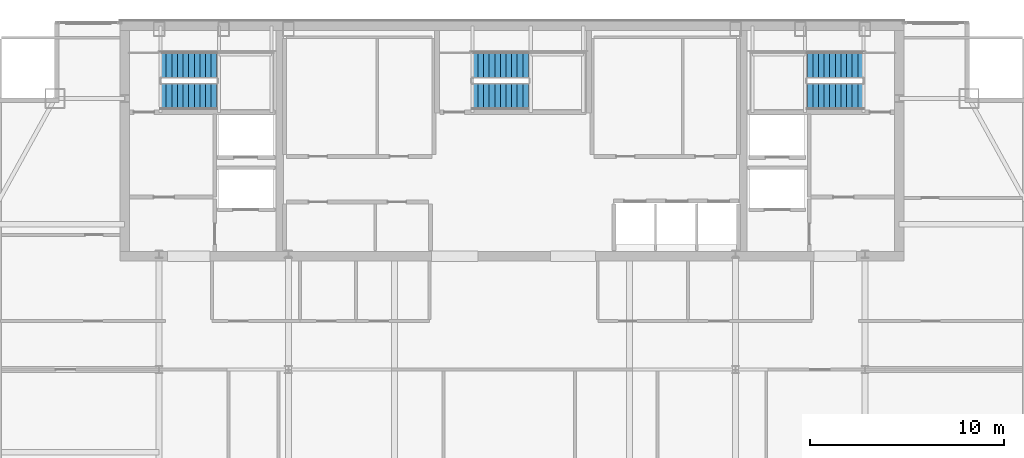
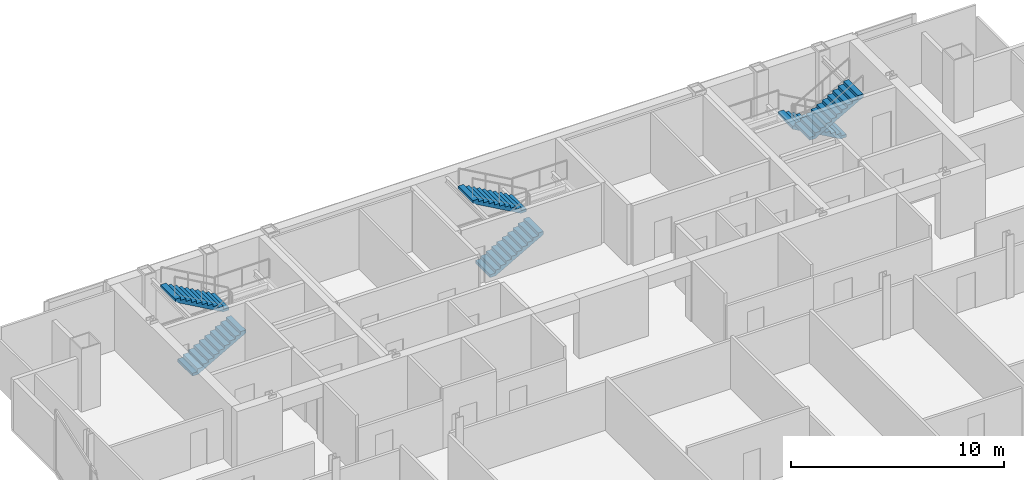
# One storey, part 28 of 30: 6 stair flights, 3 elements without a shape of their own.
"""IFC4 building model written with IfcOpenShell, lengths in metres."""

import ifcopenshell
import ifcopenshell.guid

model = None  # the IFC model being written
_history = None  # IfcOwnerHistory: only IFC2X3 demands one
_inside = {}  # id of a spatial element -> (the spatial element, [elements in it])
_under = {}  # id of a project, library or spatial element -> (it, [spatial elements below it])
_declared = {}  # id of a project -> (the project, [libraries it declares])
_typed = {}  # id of a type object -> (the type object, [elements of that type])
_made_of = {}  # id of a material, layer set ... -> (it, [elements and type objects made of it])


def new_model(schema):
    """Start an empty IFC model of exactly this schema.

    Asked for "IFC4X3", IfcOpenShell would pick the latest addendum, in which some entities
    have other attributes; the version numbers below select the first issue.
    IFC2X3 requires an IfcOwnerHistory on every rooted entity: one is made here for all.
    """
    global model, _history
    if schema == "IFC4X3":
        model = ifcopenshell.file(schema_version=(4, 3, 0, 0))
    else:
        model = ifcopenshell.file(schema=schema)
    _inside.clear()
    _under.clear()
    _declared.clear()
    _typed.clear()
    _made_of.clear()
    _history = None
    if model.schema == "IFC2X3":
        org = make("IfcOrganization", Name="unknown")
        user = make(
            "IfcPersonAndOrganization",
            ThePerson=make("IfcPerson", FamilyName="unknown"),
            TheOrganization=org,
        )
        app = make(
            "IfcApplication",
            ApplicationDeveloper=org,
            Version="unknown",
            ApplicationFullName="unknown",
            ApplicationIdentifier="unknown",
        )
        _history = make(
            "IfcOwnerHistory",
            OwningUser=user,
            OwningApplication=app,
            ChangeAction="ADDED",
            CreationDate=0,
        )
    return model


def make(cls, **values):
    """One entity of the class cls with the attributes given. An attribute that is None is left unset."""
    return model.create_entity(
        cls, **{name: value for name, value in values.items() if value is not None}
    )


def rooted(cls, **values):
    """An entity with a GlobalId (a new one), such as an element, a storey or a relation."""
    return make(cls, GlobalId=ifcopenshell.guid.new(), OwnerHistory=_history, **values)


def si_unit(unit_type, name, prefix=None):
    """IfcSIUnit, for example si_unit("LENGTHUNIT", "METRE", prefix="MILLI")."""
    return make("IfcSIUnit", UnitType=unit_type, Prefix=prefix, Name=name)


def assignment(units):
    """IfcUnitAssignment: the units of a project."""
    return None if units is None else make("IfcUnitAssignment", Units=units)


def point(xyz):
    """IfcCartesianPoint."""
    return None if xyz is None else make("IfcCartesianPoint", Coordinates=xyz)


def direction(xyz):
    """IfcDirection."""
    return None if xyz is None else make("IfcDirection", DirectionRatios=xyz)


def frame(location, z_axis=None, x_axis=None):
    """IfcAxis2Placement3D, a coordinate frame: its origin and axes. An axis left out is left unset."""
    return make(
        "IfcAxis2Placement3D",
        Location=point(location),
        Axis=direction(z_axis),
        RefDirection=direction(x_axis),
    )


def origin():
    """The frame at (0, 0, 0) with its axes left unset."""
    return frame((0.0, 0.0, 0.0))


def place(relative_to, where):
    """IfcLocalPlacement: puts the frame where relative to a parent placement (None: the world)."""
    return make(
        "IfcLocalPlacement", PlacementRelTo=relative_to, RelativePlacement=where
    )


def context(
    kind, dimensions, precision=None, world=None, true_north=None, identifier=None
):
    """IfcGeometricRepresentationContext, for example the 3D "Model" context."""
    return make(
        "IfcGeometricRepresentationContext",
        ContextIdentifier=identifier,
        ContextType=kind,
        CoordinateSpaceDimension=dimensions,
        Precision=precision,
        WorldCoordinateSystem=world,
        TrueNorth=true_north,
    )


def subcontext(parent, identifier, kind, view, scale=None):
    """IfcGeometricRepresentationSubContext, for example "Body" below "Model"."""
    return make(
        "IfcGeometricRepresentationSubContext",
        ContextIdentifier=identifier,
        ContextType=kind,
        ParentContext=parent,
        TargetScale=scale,
        TargetView=view,
    )


def project(units=None, contexts=None):
    """IfcProject with its units and contexts."""
    return rooted(
        "IfcProject",
        Name="project",
        RepresentationContexts=contexts,
        UnitsInContext=assignment(units),
    )


def spatial(cls, under=None, at=None, **own):
    """A site, building, storey or space (cls), placed at a placement, below another one or the project."""
    s = rooted(cls, ObjectPlacement=at, **own)
    if under is not None:
        _under.setdefault(under.id(), (under, []))[1].append(s)
    return s


def polyline(points):
    """IfcPolyline through the points."""
    return make("IfcPolyline", Points=[point(p) for p in points])


def outline(outer, holes=None, kind="AREA"):
    """IfcArbitraryClosedProfileDef: a profile drawn as a closed curve; with holes, ...WithVoids."""
    if holes is None:
        return make("IfcArbitraryClosedProfileDef", ProfileType=kind, OuterCurve=outer)
    return make(
        "IfcArbitraryProfileDefWithVoids",
        ProfileType=kind,
        OuterCurve=outer,
        InnerCurves=holes,
    )


def extrude(swept, where, along, depth):
    """IfcExtrudedAreaSolid: the profile swept, set in the frame where, extruded along a direction by depth."""
    return make(
        "IfcExtrudedAreaSolid",
        SweptArea=swept,
        Position=where,
        ExtrudedDirection=direction(along),
        Depth=depth,
    )


def shape(context_of_items, identifier, shape_type, items):
    """IfcShapeRepresentation: the items that make up one representation, for example the "Body"."""
    return make(
        "IfcShapeRepresentation",
        ContextOfItems=context_of_items,
        RepresentationIdentifier=identifier,
        RepresentationType=shape_type,
        Items=items,
    )


def material(Name=None, Category=None):
    """IfcMaterial."""
    return make("IfcMaterial", Name=Name, Category=Category)


def made_of(thing, what):
    """Note that an element or type object is made of a material, layer set ...; save() writes the relation."""
    if what is not None:
        _made_of.setdefault(what.id(), (what, []))[1].append(thing)
    return thing


def type_object(cls, material=None, **own):
    """A type object (cls), such as IfcWallType, which elements share."""
    return made_of(rooted(cls, **own), material)


def element(
    cls,
    number,
    at=None,
    inside=None,
    cuts=None,
    type_object=None,
    material=None,
    context=None,
    identifier="Body",
    shape_type=None,
    held_by="IfcProductDefinitionShape",
    body=None,
    shapes=None,
    **own,
):
    """One element of the class cls, such as IfcWall. Its Tag is "e" and its number.

    at: its placement. inside: the storey or other place that contains it. cuts: it is an
    opening in that element (IfcRelVoidsElement). A single representation is given by context,
    identifier, shape_type and body (its items); several are given by shapes. held_by: the class
    of the entity that holds the representations. save() writes the other relations.
    """
    e = rooted(cls, Tag="e%d" % number, ObjectPlacement=at, **own)
    if body is not None:
        shapes = [shape(context, identifier, shape_type, body)]
    if shapes is not None:
        e.Representation = make(held_by, Representations=shapes)
    if inside is not None:
        _inside.setdefault(inside.id(), (inside, []))[1].append(e)
    if cuts is not None:
        rooted(
            "IfcRelVoidsElement", RelatingBuildingElement=cuts, RelatedOpeningElement=e
        )
    if type_object is not None:
        _typed.setdefault(type_object.id(), (type_object, []))[1].append(e)
    return made_of(e, material)


def aggregate(whole, parts):
    """IfcRelAggregates: a whole, such as a stair, and the parts it consists of."""
    return rooted("IfcRelAggregates", RelatingObject=whole, RelatedObjects=parts)


def save(model, path):
    """Write the relations noted so far, then the file.

    IfcRelAggregates (storeys below a building ...), IfcRelContainedInSpatialStructure (elements
    in a storey), IfcRelDefinesByType, IfcRelAssociatesMaterial and IfcRelDeclares: one each for
    every whole, place, type object, material and project.
    """
    for whole, parts in _under.values():
        aggregate(whole, parts)
    for where, things in _inside.values():
        rooted(
            "IfcRelContainedInSpatialStructure",
            RelatedElements=things,
            RelatingStructure=where,
        )
    for kind, things in _typed.values():
        rooted("IfcRelDefinesByType", RelatedObjects=things, RelatingType=kind)
    for what, things in _made_of.values():
        rooted("IfcRelAssociatesMaterial", RelatedObjects=things, RelatingMaterial=what)
    for by, libraries in _declared.values():
        rooted("IfcRelDeclares", RelatingContext=by, RelatedDefinitions=libraries)
    model.write(path)


model = new_model("IFC4")

# Units and contexts
model_context = context("Model", 3, precision=1e-05, world=origin(), true_north=direction((0.0, 1.0)))
body_context = subcontext(model_context, "Body", "Model", "MODEL_VIEW")
ifc_project = project(units=[si_unit("LENGTHUNIT", "METRE"), si_unit("AREAUNIT", "SQUARE_METRE"), si_unit("VOLUMEUNIT", "CUBIC_METRE"), si_unit("PLANEANGLEUNIT", "RADIAN"), si_unit("MASSUNIT", "GRAM", prefix="KILO")], contexts=[model_context])

# Site, building, storey
site_placement = place(None, origin())
site = spatial("IfcSite", under=ifc_project, at=site_placement, CompositionType="ELEMENT")
building_placement = place(site_placement, origin())
building = spatial("IfcBuilding", under=site, at=building_placement, Name="Khoronbel Lancet Exchange", CompositionType="ELEMENT")
storey_placement = place(building_placement, frame((0.0, 0.0, 277.0)))
storey = spatial("IfcBuildingStorey", under=building, at=storey_placement, Name="L71", CompositionType="ELEMENT", Elevation=277.0)

# Stair, stair flights
ifc_material = material(Name="Concrete C40/50", Category="concrete")
stair_type = type_object("IfcStairType", Name="STR-CORE150", PredefinedType="HALF_TURN_STAIR", material=ifc_material)
stair_1_placement = place(storey_placement, origin())
stair_1 = element("IfcStair", 1, at=stair_1_placement, inside=storey, type_object=stair_type, Name="L71 Protected Exit Stair ST1", PredefinedType="HALF_TURN_STAIR")
stair_flight_type = type_object("IfcStairFlightType", Name="STF-150", PredefinedType="STRAIGHT", material=ifc_material)
stair_flight_1_placement = place(storey_placement, frame((18.300048828125, 49.81005859375, 0.0), z_axis=(0.0, 0.0, 1.0), x_axis=(1.0, 0.0, 0.0)))
stair_flight_1 = element("IfcStairFlight", 2, at=stair_flight_1_placement, type_object=stair_flight_type, Name="ST1 flight 1", NumberOfRisers=11, NumberOfTreads=10, PredefinedType="STRAIGHT", RiserHeight=0.163636364, TreadLength=0.29, context=body_context, shape_type="SweptSolid", body=[
    extrude(outline(polyline([(0.0, 0.0), (0.0, 0.16357421875), (0.2900390625, 0.16357421875), (0.2900390625, 0.327392578125), (0.580078125, 0.327392578125), (0.580078125, 0.490966796875), (0.8701171875, 0.490966796875), (0.8701171875, 0.654541015625), (1.159912109375, 0.654541015625), (1.159912109375, 0.818115234375), (1.449951171875, 0.818115234375), (1.449951171875, 0.98193359375), (1.739990234375, 0.98193359375), (1.739990234375, 1.1455078125), (2.030029296875, 1.1455078125), (2.030029296875, 1.30908203125), (2.320068359375, 1.30908203125), (2.320068359375, 1.47265625), (2.610107421875, 1.47265625), (2.610107421875, 1.636474609375), (2.89990234375, 1.636474609375), (2.89990234375, 1.800048828125), (2.89990234375, 1.46435546875), (0.304931640625, 0.0), (0.0, 0.0)])), frame((0.0, 0.68994140625, 0.0), z_axis=(0.0, -1.0, 0.0), x_axis=(1.0, 0.0, 0.0)), (0.0, 0.0, 1.0), 1.3798828125),
])
stair_flight_2_placement = place(storey_placement, frame((21.199951171875, 51.409912109375, 1.800048828125), z_axis=(0.0, 0.0, 1.0), x_axis=(-1.0, 0.0, 0.0)))
stair_flight_2 = element("IfcStairFlight", 3, at=stair_flight_2_placement, type_object=stair_flight_type, Name="ST1 flight 2", NumberOfRisers=11, NumberOfTreads=10, PredefinedType="STRAIGHT", RiserHeight=0.163636364, TreadLength=0.29, context=body_context, shape_type="SweptSolid", body=[
    extrude(outline(polyline([(0.0, 0.0), (0.0, 0.16357421875), (0.2900390625, 0.16357421875), (0.2900390625, 0.327392578125), (0.580078125, 0.327392578125), (0.580078125, 0.490966796875), (0.8701171875, 0.490966796875), (0.8701171875, 0.654541015625), (1.159912109375, 0.654541015625), (1.159912109375, 0.818115234375), (1.449951171875, 0.818115234375), (1.449951171875, 0.98193359375), (1.739990234375, 0.98193359375), (1.739990234375, 1.1455078125), (2.030029296875, 1.1455078125), (2.030029296875, 1.30908203125), (2.320068359375, 1.30908203125), (2.320068359375, 1.47265625), (2.610107421875, 1.47265625), (2.610107421875, 1.636474609375), (2.89990234375, 1.636474609375), (2.89990234375, 1.800048828125), (2.89990234375, 1.46435546875), (0.304931640625, 0.0), (0.0, 0.0)])), frame((0.0, 0.68994140625, 0.0), z_axis=(0.0, -1.0, 0.0), x_axis=(1.0, 0.0, 0.0)), (0.0, 0.0, 1.0), 1.3798828125),
])
aggregate(stair_1, [stair_flight_1, stair_flight_2])

stair_2_placement = place(storey_placement, origin())
stair_2 = element("IfcStair", 4, at=stair_2_placement, inside=storey, type_object=stair_type, Name="L71 Protected Exit Stair ST2", PredefinedType="HALF_TURN_STAIR")
stair_flight_3_placement = place(storey_placement, frame((54.60009765625, 51.409912109375, 0.0), z_axis=(0.0, 0.0, 1.0), x_axis=(-1.0, 0.0, 0.0)))
stair_flight_3 = element("IfcStairFlight", 5, at=stair_flight_3_placement, type_object=stair_flight_type, Name="ST2 flight 1", NumberOfRisers=11, NumberOfTreads=10, PredefinedType="STRAIGHT", RiserHeight=0.163636364, TreadLength=0.29, context=body_context, shape_type="SweptSolid", body=[
    extrude(outline(polyline([(0.0, 0.0), (0.0, 0.16357421875), (0.2900390625, 0.16357421875), (0.2900390625, 0.327392578125), (0.580078125, 0.327392578125), (0.580078125, 0.490966796875), (0.8701171875, 0.490966796875), (0.8701171875, 0.654541015625), (1.159912109375, 0.654541015625), (1.159912109375, 0.818115234375), (1.449951171875, 0.818115234375), (1.449951171875, 0.98193359375), (1.739990234375, 0.98193359375), (1.739990234375, 1.1455078125), (2.030029296875, 1.1455078125), (2.030029296875, 1.30908203125), (2.320068359375, 1.30908203125), (2.320068359375, 1.47265625), (2.610107421875, 1.47265625), (2.610107421875, 1.636474609375), (2.89990234375, 1.636474609375), (2.89990234375, 1.800048828125), (2.89990234375, 1.46435546875), (0.304931640625, 0.0), (0.0, 0.0)])), frame((0.0, 0.68994140625, 0.0), z_axis=(0.0, -1.0, 0.0), x_axis=(1.0, 0.0, 0.0)), (0.0, 0.0, 1.0), 1.3798828125),
])
stair_flight_4_placement = place(storey_placement, frame((51.699951171875, 49.81005859375, 1.800048828125), z_axis=(0.0, 0.0, 1.0), x_axis=(1.0, 0.0, 0.0)))
stair_flight_4 = element("IfcStairFlight", 6, at=stair_flight_4_placement, type_object=stair_flight_type, Name="ST2 flight 2", NumberOfRisers=11, NumberOfTreads=10, PredefinedType="STRAIGHT", RiserHeight=0.163636364, TreadLength=0.29, context=body_context, shape_type="SweptSolid", body=[
    extrude(outline(polyline([(0.0, 0.0), (0.0, 0.16357421875), (0.2900390625, 0.16357421875), (0.2900390625, 0.327392578125), (0.580078125, 0.327392578125), (0.580078125, 0.490966796875), (0.8701171875, 0.490966796875), (0.8701171875, 0.654541015625), (1.159912109375, 0.654541015625), (1.159912109375, 0.818115234375), (1.449951171875, 0.818115234375), (1.449951171875, 0.98193359375), (1.739990234375, 0.98193359375), (1.739990234375, 1.1455078125), (2.030029296875, 1.1455078125), (2.030029296875, 1.30908203125), (2.320068359375, 1.30908203125), (2.320068359375, 1.47265625), (2.610107421875, 1.47265625), (2.610107421875, 1.636474609375), (2.89990234375, 1.636474609375), (2.89990234375, 1.800048828125), (2.89990234375, 1.46435546875), (0.304931640625, 0.0), (0.0, 0.0)])), frame((0.0, 0.68994140625, 0.0), z_axis=(0.0, -1.0, 0.0), x_axis=(1.0, 0.0, 0.0)), (0.0, 0.0, 1.0), 1.3798828125),
])
aggregate(stair_2, [stair_flight_3, stair_flight_4])

stair_3_placement = place(storey_placement, origin())
stair_3 = element("IfcStair", 7, at=stair_3_placement, inside=storey, type_object=stair_type, Name="L71 Protected Exit Stair ST3", PredefinedType="HALF_TURN_STAIR")
stair_flight_5_placement = place(storey_placement, frame((34.39990234375, 49.81005859375, 0.0), z_axis=(0.0, 0.0, 1.0), x_axis=(1.0, 0.0, 0.0)))
stair_flight_5 = element("IfcStairFlight", 8, at=stair_flight_5_placement, type_object=stair_flight_type, Name="ST3 flight 1", NumberOfRisers=11, NumberOfTreads=10, PredefinedType="STRAIGHT", RiserHeight=0.163636364, TreadLength=0.29, context=body_context, shape_type="SweptSolid", body=[
    extrude(outline(polyline([(0.0, 0.0), (0.0, 0.16357421875), (0.2900390625, 0.16357421875), (0.2900390625, 0.327392578125), (0.580078125, 0.327392578125), (0.580078125, 0.490966796875), (0.8701171875, 0.490966796875), (0.8701171875, 0.654541015625), (1.159912109375, 0.654541015625), (1.159912109375, 0.818115234375), (1.449951171875, 0.818115234375), (1.449951171875, 0.98193359375), (1.739990234375, 0.98193359375), (1.739990234375, 1.1455078125), (2.030029296875, 1.1455078125), (2.030029296875, 1.30908203125), (2.320068359375, 1.30908203125), (2.320068359375, 1.47265625), (2.610107421875, 1.47265625), (2.610107421875, 1.636474609375), (2.89990234375, 1.636474609375), (2.89990234375, 1.800048828125), (2.89990234375, 1.46435546875), (0.304931640625, 0.0), (0.0, 0.0)])), frame((0.0, 0.68994140625, 0.0), z_axis=(0.0, -1.0, 0.0), x_axis=(1.0, 0.0, 0.0)), (0.0, 0.0, 1.0), 1.3798828125),
])
stair_flight_6_placement = place(storey_placement, frame((37.300048828125, 51.409912109375, 1.800048828125), z_axis=(0.0, 0.0, 1.0), x_axis=(-1.0, 0.0, 0.0)))
stair_flight_6 = element("IfcStairFlight", 9, at=stair_flight_6_placement, type_object=stair_flight_type, Name="ST3 flight 2", NumberOfRisers=11, NumberOfTreads=10, PredefinedType="STRAIGHT", RiserHeight=0.163636364, TreadLength=0.29, context=body_context, shape_type="SweptSolid", body=[
    extrude(outline(polyline([(0.0, 0.0), (0.0, 0.16357421875), (0.2900390625, 0.16357421875), (0.2900390625, 0.327392578125), (0.580078125, 0.327392578125), (0.580078125, 0.490966796875), (0.8701171875, 0.490966796875), (0.8701171875, 0.654541015625), (1.159912109375, 0.654541015625), (1.159912109375, 0.818115234375), (1.449951171875, 0.818115234375), (1.449951171875, 0.98193359375), (1.739990234375, 0.98193359375), (1.739990234375, 1.1455078125), (2.030029296875, 1.1455078125), (2.030029296875, 1.30908203125), (2.320068359375, 1.30908203125), (2.320068359375, 1.47265625), (2.610107421875, 1.47265625), (2.610107421875, 1.636474609375), (2.89990234375, 1.636474609375), (2.89990234375, 1.800048828125), (2.89990234375, 1.46435546875), (0.304931640625, 0.0), (0.0, 0.0)])), frame((0.0, 0.68994140625, 0.0), z_axis=(0.0, -1.0, 0.0), x_axis=(1.0, 0.0, 0.0)), (0.0, 0.0, 1.0), 1.3798828125),
])
aggregate(stair_3, [stair_flight_5, stair_flight_6])

save(model, "model.ifc")
